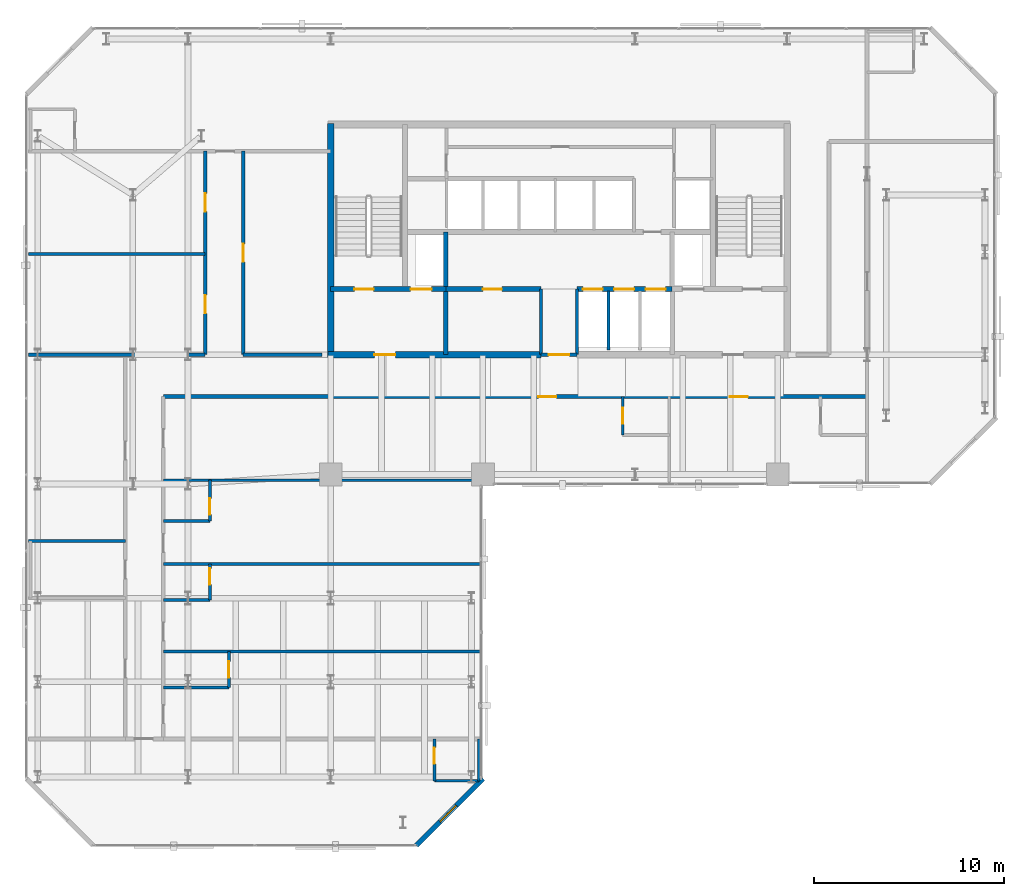
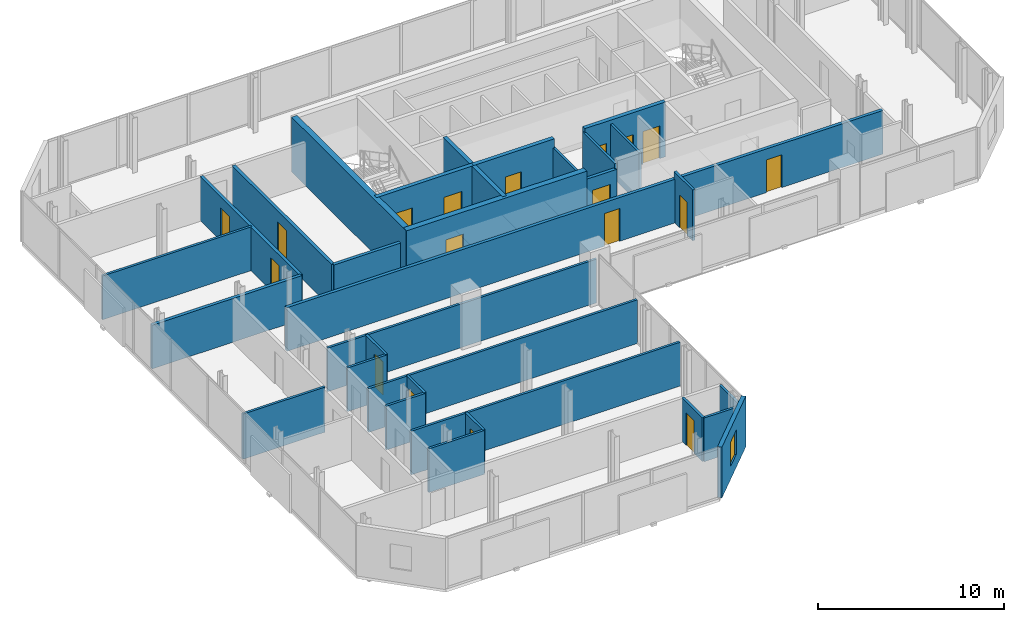
# One storey, part 28 of 32: 31 walls, 18 doors, 1 window, 19 openings.
"""IFC4 building model written with IfcOpenShell, lengths in metres."""

from ifc_helpers import new_model, si_unit, direction, frame, frame_2d, origin, place, context, subcontext, project, spatial, rectangle, extrude, material, layer, layer_set, type_object, element, fill, save


model = new_model("IFC4")

# Units and contexts
model_context = context("Model", 3, precision=1e-05, world=origin(), true_north=direction((0.0, 1.0)))
body_context = subcontext(model_context, "Body", "Model", "MODEL_VIEW")
ifc_project = project(units=[si_unit("LENGTHUNIT", "METRE"), si_unit("AREAUNIT", "SQUARE_METRE"), si_unit("VOLUMEUNIT", "CUBIC_METRE"), si_unit("PLANEANGLEUNIT", "RADIAN"), si_unit("MASSUNIT", "GRAM", prefix="KILO")], contexts=[model_context])

# Site, building, storey
site_placement = place(None, origin())
site = spatial("IfcSite", under=ifc_project, at=site_placement, CompositionType="ELEMENT")
building_placement = place(site_placement, origin())
building = spatial("IfcBuilding", under=site, at=building_placement, Name="Catumbela Crestline Tower", CompositionType="ELEMENT")
storey_placement = place(building_placement, frame((0.0, 0.0, 126.0)))
storey = spatial("IfcBuildingStorey", under=building, at=storey_placement, Name="L32", CompositionType="ELEMENT", Elevation=126.0)

# Wall
ifc_material_1 = material(Name="Concrete C50/60", Category="concrete")
ifc_layer_1 = layer(ifc_material_1, 0.25, Name="Concrete C50/60")
ifc_layer_set_1 = layer_set([ifc_layer_1], Name="Concrete C50/60")
wall_type_1 = type_object("IfcWallType", Name="CW-250D", PredefinedType="SHEAR", material=ifc_layer_set_1)
wall_1_placement = place(storey_placement, frame((22.05, 30.8, 0.0), z_axis=(0.0, 0.0, 1.0), x_axis=(0.0, 1.0, 0.0)))
element("IfcWall", 1, at=wall_1_placement, inside=storey, type_object=wall_type_1, Name="L32 Structural Core Shear Wall FFW", PredefinedType="SHEAR", context=body_context, shape_type="SweptSolid", body=[
    extrude(rectangle(XDim=6.45, YDim=0.25, at=frame_2d((3.225, 0.0))), origin(), (0.0, 0.0, 1.0), 3.6),
])

# Wall, openings, doors
wall_2_placement = place(storey_placement, frame((16.0, 34.25, 0.0), z_axis=(0.0, 0.0, 1.0), x_axis=(1.0, 0.0, 0.0)))
wall_2 = element("IfcWall", 2, at=wall_2_placement, inside=storey, type_object=wall_type_1, Name="L32 Structural Core Shear Wall ST1S", PredefinedType="SHEAR", context=body_context, shape_type="SweptSolid", body=[
    extrude(rectangle(XDim=6.05, YDim=0.25, at=frame_2d((3.025, 0.0))), origin(), (0.0, 0.0, 1.0), 3.6),
])
opening_1_placement = place(wall_2_placement, frame((1.25, 0.0, 0.0)))
opening_1 = element("IfcOpeningElement", 3, at=opening_1_placement, cuts=wall_2, Name="Opening DF9-100", PredefinedType="OPENING", context=body_context, shape_type="SweptSolid", body=[
    extrude(rectangle(XDim=1.0, YDim=2.15, at=frame_2d((0.5, 1.075))), frame((0.0, 0.135, 0.0), z_axis=(0.0, -1.0, 0.0), x_axis=(1.0, 0.0, 0.0)), (0.0, 0.0, 1.0), 0.27),
])
opening_2_placement = place(wall_2_placement, frame((4.2, 0.0, 0.0)))
opening_2 = element("IfcOpeningElement", 4, at=opening_2_placement, cuts=wall_2, Name="Opening LD-110", PredefinedType="OPENING", context=body_context, shape_type="SweptSolid", body=[
    extrude(rectangle(XDim=1.1, YDim=2.15, at=frame_2d((0.55, 1.075))), frame((0.0, 0.135, 0.0), z_axis=(0.0, -1.0, 0.0), x_axis=(1.0, 0.0, 0.0)), (0.0, 0.0, 1.0), 0.27),
])
ifc_material_2 = material(Name="Stainless steel EN 1.4401", Category="steel")
door_type_1 = type_object("IfcDoorType", Name="DF9-100", OperationType="NOTDEFINED", PredefinedType="DOOR", material=ifc_material_2)
door_1_placement = place(opening_1_placement, origin())
door_1 = element("IfcDoor", 5, at=door_1_placement, inside=storey, type_object=door_type_1, Name="L32 Interior Door DR-L32-ST01", OperationType="SINGLE_SWING_LEFT", OverallHeight=2.15, OverallWidth=1.0, PredefinedType="DOOR", context=body_context, shape_type="SweptSolid", body=[
    extrude(rectangle(XDim=1.0, YDim=2.15, at=frame_2d((0.5, 1.075))), frame((0.0, 0.025, 0.0), z_axis=(0.0, -1.0, 0.0), x_axis=(1.0, 0.0, 0.0)), (0.0, 0.0, 1.0), 0.05),
])
fill(opening_1, door_1)
door_type_2 = type_object("IfcDoorType", Name="LD-110", OperationType="NOTDEFINED", PredefinedType="DOOR", material=ifc_material_2)
door_2_placement = place(opening_2_placement, origin())
door_2 = element("IfcDoor", 6, at=door_2_placement, inside=storey, type_object=door_type_2, Name="L32 Lift Landing Sliding Door FL-01", OperationType="DOUBLE_DOOR_SLIDING", OverallHeight=2.15, OverallWidth=1.1, PredefinedType="DOOR", context=body_context, shape_type="SweptSolid", body=[
    extrude(rectangle(XDim=1.1, YDim=2.15, at=frame_2d((0.55, 1.075))), frame((0.0, 0.025, 0.0), z_axis=(0.0, -1.0, 0.0), x_axis=(1.0, 0.0, 0.0)), (0.0, 0.0, 1.0), 0.05),
])
fill(opening_2, door_2)

# Wall, opening, door
wall_3_placement = place(storey_placement, frame((22.05, 34.25, 0.0), z_axis=(0.0, 0.0, 1.0), x_axis=(1.0, 0.0, 0.0)))
wall_3 = element("IfcWall", 7, at=wall_3_placement, inside=storey, type_object=wall_type_1, Name="L32 Structural Core Shear Wall LIFTS-W", PredefinedType="SHEAR", context=body_context, shape_type="SweptSolid", body=[
    extrude(rectangle(XDim=5.0, YDim=0.25, at=frame_2d((2.5, 0.0))), origin(), (0.0, 0.0, 1.0), 3.6),
])
opening_3_placement = place(wall_3_placement, frame((1.95, 0.0, 0.0)))
opening_3 = element("IfcOpeningElement", 8, at=opening_3_placement, cuts=wall_3, Name="Opening DF9-100", PredefinedType="OPENING", context=body_context, shape_type="SweptSolid", body=[
    extrude(rectangle(XDim=1.0, YDim=2.15, at=frame_2d((0.5, 1.075))), frame((0.0, 0.135, 0.0), z_axis=(0.0, -1.0, 0.0), x_axis=(1.0, 0.0, 0.0)), (0.0, 0.0, 1.0), 0.27),
])
door_3_placement = place(opening_3_placement, origin())
door_3 = element("IfcDoor", 9, at=door_3_placement, inside=storey, type_object=door_type_1, Name="L32 Interior Door DR-L32-RECL1", OperationType="SINGLE_SWING_LEFT", OverallHeight=2.15, OverallWidth=1.0, PredefinedType="DOOR", context=body_context, shape_type="SweptSolid", body=[
    extrude(rectangle(XDim=1.0, YDim=2.15, at=frame_2d((0.5, 1.075))), frame((0.0, 0.025, 0.0), z_axis=(0.0, -1.0, 0.0), x_axis=(1.0, 0.0, 0.0)), (0.0, 0.0, 1.0), 0.05),
])
fill(opening_3, door_3)

# Wall, openings, doors
wall_4_placement = place(storey_placement, frame((28.95, 34.25, 0.0), z_axis=(0.0, 0.0, 1.0), x_axis=(1.0, 0.0, 0.0)))
wall_4 = element("IfcWall", 10, at=wall_4_placement, inside=storey, type_object=wall_type_1, Name="L32 Structural Core Shear Wall LIFTS-E", PredefinedType="SHEAR", context=body_context, shape_type="SweptSolid", body=[
    extrude(rectangle(XDim=5.0, YDim=0.25, at=frame_2d((2.5, 0.0))), origin(), (0.0, 0.0, 1.0), 3.6),
])
opening_4_placement = place(wall_4_placement, frame((0.3, 0.0, 0.0)))
opening_4 = element("IfcOpeningElement", 11, at=opening_4_placement, cuts=wall_4, Name="Opening LD-105", PredefinedType="OPENING", context=body_context, shape_type="SweptSolid", body=[
    extrude(rectangle(XDim=1.05, YDim=2.15, at=frame_2d((0.525, 1.075))), frame((0.0, 0.135, 0.0), z_axis=(0.0, -1.0, 0.0), x_axis=(1.0, 0.0, 0.0)), (0.0, 0.0, 1.0), 0.27),
])
opening_5_placement = place(wall_4_placement, frame((1.95, 0.0, 0.0)))
opening_5 = element("IfcOpeningElement", 12, at=opening_5_placement, cuts=wall_4, Name="Opening LD-105", PredefinedType="OPENING", context=body_context, shape_type="SweptSolid", body=[
    extrude(rectangle(XDim=1.05, YDim=2.15, at=frame_2d((0.525, 1.075))), frame((0.0, 0.135, 0.0), z_axis=(0.0, -1.0, 0.0), x_axis=(1.0, 0.0, 0.0)), (0.0, 0.0, 1.0), 0.27),
])
opening_6_placement = place(wall_4_placement, frame((3.6, 0.0, 0.0)))
opening_6 = element("IfcOpeningElement", 13, at=opening_6_placement, cuts=wall_4, Name="Opening LD-105", PredefinedType="OPENING", context=body_context, shape_type="SweptSolid", body=[
    extrude(rectangle(XDim=1.05, YDim=2.15, at=frame_2d((0.525, 1.075))), frame((0.0, 0.135, 0.0), z_axis=(0.0, -1.0, 0.0), x_axis=(1.0, 0.0, 0.0)), (0.0, 0.0, 1.0), 0.27),
])
door_type_3 = type_object("IfcDoorType", Name="LD-105", OperationType="NOTDEFINED", PredefinedType="DOOR", material=ifc_material_2)
door_4_placement = place(opening_4_placement, origin())
door_4 = element("IfcDoor", 14, at=door_4_placement, inside=storey, type_object=door_type_3, Name="L32 Lift Landing Sliding Door PL-M1", OperationType="DOUBLE_DOOR_SLIDING", OverallHeight=2.15, OverallWidth=1.05, PredefinedType="DOOR", context=body_context, shape_type="SweptSolid", body=[
    extrude(rectangle(XDim=1.05, YDim=2.15, at=frame_2d((0.525, 1.075))), frame((0.0, 0.025, 0.0), z_axis=(0.0, -1.0, 0.0), x_axis=(1.0, 0.0, 0.0)), (0.0, 0.0, 1.0), 0.05),
])
fill(opening_4, door_4)
door_5_placement = place(opening_5_placement, origin())
door_5 = element("IfcDoor", 15, at=door_5_placement, inside=storey, type_object=door_type_3, Name="L32 Lift Landing Sliding Door PL-M2", OperationType="DOUBLE_DOOR_SLIDING", OverallHeight=2.15, OverallWidth=1.05, PredefinedType="DOOR", context=body_context, shape_type="SweptSolid", body=[
    extrude(rectangle(XDim=1.05, YDim=2.15, at=frame_2d((0.525, 1.075))), frame((0.0, 0.025, 0.0), z_axis=(0.0, -1.0, 0.0), x_axis=(1.0, 0.0, 0.0)), (0.0, 0.0, 1.0), 0.05),
])
fill(opening_5, door_5)
door_6_placement = place(opening_6_placement, origin())
door_6 = element("IfcDoor", 16, at=door_6_placement, inside=storey, type_object=door_type_3, Name="L32 Lift Landing Sliding Door PL-M3", OperationType="DOUBLE_DOOR_SLIDING", OverallHeight=2.15, OverallWidth=1.05, PredefinedType="DOOR", context=body_context, shape_type="SweptSolid", body=[
    extrude(rectangle(XDim=1.05, YDim=2.15, at=frame_2d((0.525, 1.075))), frame((0.0, 0.025, 0.0), z_axis=(0.0, -1.0, 0.0), x_axis=(1.0, 0.0, 0.0)), (0.0, 0.0, 1.0), 0.05),
])
fill(opening_6, door_6)

# Wall
ifc_layer_2 = layer(ifc_material_1, 0.35, Name="Concrete C50/60")
ifc_layer_set_2 = layer_set([ifc_layer_2], Name="Concrete C50/60")
wall_type_2 = type_object("IfcWallType", Name="CW-350B", PredefinedType="SHEAR", material=ifc_layer_set_2)
wall_5_placement = place(storey_placement, frame((16.0, 30.65, 0.0), z_axis=(0.0, 0.0, 1.0), x_axis=(0.0, 1.0, 0.0)))
element("IfcWall", 17, at=wall_5_placement, inside=storey, type_object=wall_type_2, Name="L32 Structural Core Shear Wall W", PredefinedType="SHEAR", context=body_context, shape_type="SweptSolid", body=[
    extrude(rectangle(XDim=12.3, YDim=0.35, at=frame_2d((6.15, 0.0))), origin(), (0.0, 0.0, 1.0), 3.6),
])

# Wall, opening, door
wall_6_placement = place(storey_placement, frame((15.85, 30.8, 0.0), z_axis=(0.0, 0.0, 1.0), x_axis=(1.0, 0.0, 0.0)))
wall_6 = element("IfcWall", 18, at=wall_6_placement, inside=storey, type_object=wall_type_2, Name="L32 Structural Core Shear Wall SW", PredefinedType="SHEAR", context=body_context, shape_type="SweptSolid", body=[
    extrude(rectangle(XDim=11.2, YDim=0.35, at=frame_2d((5.6, 0.0))), origin(), (0.0, 0.0, 1.0), 3.6),
])
opening_7_placement = place(wall_6_placement, frame((2.45, 0.0, 0.0)))
opening_7 = element("IfcOpeningElement", 19, at=opening_7_placement, cuts=wall_6, Name="Opening DF9-110", PredefinedType="OPENING", context=body_context, shape_type="SweptSolid", body=[
    extrude(rectangle(XDim=1.1, YDim=2.15, at=frame_2d((0.55, 1.075))), frame((0.0, 0.185, 0.0), z_axis=(0.0, -1.0, 0.0), x_axis=(1.0, 0.0, 0.0)), (0.0, 0.0, 1.0), 0.37),
])
door_type_4 = type_object("IfcDoorType", Name="DF9-110", OperationType="NOTDEFINED", PredefinedType="DOOR", material=ifc_material_2)
door_7_placement = place(opening_7_placement, origin())
door_7 = element("IfcDoor", 20, at=door_7_placement, inside=storey, type_object=door_type_4, Name="L32 Interior Door DR-L32-FFW-S", OperationType="SINGLE_SWING_LEFT", OverallHeight=2.15, OverallWidth=1.1, PredefinedType="DOOR", context=body_context, shape_type="SweptSolid", body=[
    extrude(rectangle(XDim=1.1, YDim=2.15, at=frame_2d((0.55, 1.075))), frame((0.0, 0.025, 0.0), z_axis=(0.0, -1.0, 0.0), x_axis=(1.0, 0.0, 0.0)), (0.0, 0.0, 1.0), 0.05),
])
fill(opening_7, door_7)

ifc_material_3 = material(Name="Acoustic gypsum and mineral-wool partition")
ifc_layer_3 = layer(ifc_material_3, 0.2, Name="Acoustic gypsum and mineral-wool partition")
ifc_layer_set_3 = layer_set([ifc_layer_3], Name="Acoustic gypsum and mineral-wool partition")
wall_type_3 = type_object("IfcWallType", Name="WC-200", PredefinedType="PARTITIONING", material=ifc_layer_set_3)
wall_7_placement = place(storey_placement, frame((27.05, 30.8, 0.0), z_axis=(0.0, 0.0, 1.0), x_axis=(1.0, 0.0, 0.0)))
wall_7 = element("IfcWall", 21, at=wall_7_placement, inside=storey, type_object=wall_type_3, Name="L32 Interior Partition PW-L32-CLOBS", PredefinedType="PARTITIONING", context=body_context, shape_type="SweptSolid", body=[
    extrude(rectangle(XDim=1.9, YDim=0.2, at=frame_2d((0.95, 0.0))), origin(), (0.0, 0.0, 1.0), 3.01),
])
opening_8_placement = place(wall_7_placement, frame((0.4, 0.0, 0.0)))
opening_8 = element("IfcOpeningElement", 22, at=opening_8_placement, cuts=wall_7, Name="Opening DF9-110", PredefinedType="OPENING", context=body_context, shape_type="SweptSolid", body=[
    extrude(rectangle(XDim=1.1, YDim=2.15, at=frame_2d((0.55, 1.075))), frame((0.0, 0.11, 0.0), z_axis=(0.0, -1.0, 0.0), x_axis=(1.0, 0.0, 0.0)), (0.0, 0.0, 1.0), 0.22),
])
door_8_placement = place(opening_8_placement, origin())
door_8 = element("IfcDoor", 23, at=door_8_placement, inside=storey, type_object=door_type_4, Name="L32 Interior Door DR-L32-CLOBS", OperationType="SINGLE_SWING_LEFT", OverallHeight=2.15, OverallWidth=1.1, PredefinedType="DOOR", context=body_context, shape_type="SweptSolid", body=[
    extrude(rectangle(XDim=1.1, YDim=2.15, at=frame_2d((0.55, 1.075))), frame((0.0, 0.025, 0.0), z_axis=(0.0, -1.0, 0.0), x_axis=(1.0, 0.0, 0.0)), (0.0, 0.0, 1.0), 0.05),
])
fill(opening_8, door_8)

# Wall
wall_8_placement = place(storey_placement, frame((0.1, 30.8, 0.0), z_axis=(0.0, 0.0, 1.0), x_axis=(1.0, 0.0, 0.0)))
element("IfcWall", 24, at=wall_8_placement, inside=storey, type_object=wall_type_3, Name="L32 Interior Partition PW-L32-Z2CW-N0", PredefinedType="PARTITIONING", context=body_context, shape_type="SweptSolid", body=[
    extrude(rectangle(XDim=9.3, YDim=0.2, at=frame_2d((4.65, 0.0))), origin(), (0.0, 0.0, 1.0), 2.87),
])

# Wall, openings, doors
wall_9_placement = place(storey_placement, frame((7.2, 28.6, 0.0), z_axis=(0.0, 0.0, 1.0), x_axis=(1.0, 0.0, 0.0)))
wall_9 = element("IfcWall", 25, at=wall_9_placement, inside=storey, type_object=wall_type_3, Name="L32 Interior Partition PW-L32-Z2CW-N2", PredefinedType="PARTITIONING", context=body_context, shape_type="SweptSolid", body=[
    extrude(rectangle(XDim=37.0, YDim=0.2, at=frame_2d((18.5, 0.0))), origin(), (0.0, 0.0, 1.0), 2.87),
])
opening_9_placement = place(wall_9_placement, frame((19.71, 0.0, 0.0)))
opening_9 = element("IfcOpeningElement", 26, at=opening_9_placement, cuts=wall_9, Name="Opening DF6-095", PredefinedType="OPENING", context=body_context, shape_type="SweptSolid", body=[
    extrude(rectangle(XDim=0.95, YDim=2.15, at=frame_2d((0.475, 1.075))), frame((0.0, 0.11, 0.0), z_axis=(0.0, -1.0, 0.0), x_axis=(1.0, 0.0, 0.0)), (0.0, 0.0, 1.0), 0.22),
])
opening_10_placement = place(wall_9_placement, frame((29.78, 0.0, 0.0)))
opening_10 = element("IfcOpeningElement", 27, at=opening_10_placement, cuts=wall_9, Name="Opening DF6-095", PredefinedType="OPENING", context=body_context, shape_type="SweptSolid", body=[
    extrude(rectangle(XDim=0.95, YDim=2.15, at=frame_2d((0.475, 1.075))), frame((0.0, 0.11, 0.0), z_axis=(0.0, -1.0, 0.0), x_axis=(1.0, 0.0, 0.0)), (0.0, 0.0, 1.0), 0.22),
])
ifc_material_4 = material(Name="Aluminium alloy AW-6060-T66", Category="aluminium")
door_type_5 = type_object("IfcDoorType", Name="DF6-095", OperationType="NOTDEFINED", PredefinedType="DOOR", material=ifc_material_4)
door_9_placement = place(opening_9_placement, origin())
door_9 = element("IfcDoor", 28, at=door_9_placement, inside=storey, type_object=door_type_5, Name="L32 Interior Door DR-L32-SS1-ENT", OperationType="SINGLE_SWING_RIGHT", OverallHeight=2.15, OverallWidth=0.95, PredefinedType="DOOR", context=body_context, shape_type="SweptSolid", body=[
    extrude(rectangle(XDim=0.95, YDim=2.15, at=frame_2d((0.475, 1.075))), frame((0.0, 0.025, 0.0), z_axis=(0.0, -1.0, 0.0), x_axis=(1.0, 0.0, 0.0)), (0.0, 0.0, 1.0), 0.05),
])
fill(opening_9, door_9)
door_10_placement = place(opening_10_placement, origin())
door_10 = element("IfcDoor", 29, at=door_10_placement, inside=storey, type_object=door_type_5, Name="L32 Interior Door DR-L32-SS2-ENT", OperationType="SINGLE_SWING_LEFT", OverallHeight=2.15, OverallWidth=0.95, PredefinedType="DOOR", context=body_context, shape_type="SweptSolid", body=[
    extrude(rectangle(XDim=0.95, YDim=2.15, at=frame_2d((0.475, 1.075))), frame((0.0, 0.025, 0.0), z_axis=(0.0, -1.0, 0.0), x_axis=(1.0, 0.0, 0.0)), (0.0, 0.0, 1.0), 0.05),
])
fill(opening_10, door_10)

# Wall
wall_10_placement = place(storey_placement, frame((11.4, 30.8, 0.0), z_axis=(0.0, 0.0, 1.0), x_axis=(1.0, 0.0, 0.0)))
element("IfcWall", 30, at=wall_10_placement, inside=storey, type_object=wall_type_3, Name="L32 Interior Partition PW-L32-Z2CW-N3", PredefinedType="PARTITIONING", context=body_context, shape_type="SweptSolid", body=[
    extrude(rectangle(XDim=4.13, YDim=0.2, at=frame_2d((2.065, 0.0))), origin(), (0.0, 0.0, 1.0), 2.87),
])

# Wall, openings, doors
wall_11_placement = place(storey_placement, frame((9.4, 30.8, 0.0), z_axis=(0.0, 0.0, 1.0), x_axis=(0.0, 1.0, 0.0)))
wall_11 = element("IfcWall", 31, at=wall_11_placement, inside=storey, type_object=wall_type_3, Name="L32 Interior Partition PW-L32-Z2TR1-ENT", PredefinedType="PARTITIONING", context=body_context, shape_type="SweptSolid", body=[
    extrude(rectangle(XDim=10.7, YDim=0.2, at=frame_2d((5.35, 0.0))), origin(), (0.0, 0.0, 1.0), 2.87),
])
opening_11_placement = place(wall_11_placement, frame((2.175, 0.0, 0.0)))
opening_11 = element("IfcOpeningElement", 32, at=opening_11_placement, cuts=wall_11, Name="Opening DF6-095", PredefinedType="OPENING", context=body_context, shape_type="SweptSolid", body=[
    extrude(rectangle(XDim=0.95, YDim=2.15, at=frame_2d((0.475, 1.075))), frame((0.0, 0.11, 0.0), z_axis=(0.0, -1.0, 0.0), x_axis=(1.0, 0.0, 0.0)), (0.0, 0.0, 1.0), 0.22),
])
opening_12_placement = place(wall_11_placement, frame((7.525, 0.0, 0.0)))
opening_12 = element("IfcOpeningElement", 33, at=opening_12_placement, cuts=wall_11, Name="Opening DF6-095", PredefinedType="OPENING", context=body_context, shape_type="SweptSolid", body=[
    extrude(rectangle(XDim=0.95, YDim=2.15, at=frame_2d((0.475, 1.075))), frame((0.0, 0.11, 0.0), z_axis=(0.0, -1.0, 0.0), x_axis=(1.0, 0.0, 0.0)), (0.0, 0.0, 1.0), 0.22),
])
door_11_placement = place(opening_11_placement, origin())
door_11 = element("IfcDoor", 34, at=door_11_placement, inside=storey, type_object=door_type_5, Name="L32 Interior Door DR-L32-Z2TR1-ENT", OperationType="SINGLE_SWING_RIGHT", OverallHeight=2.15, OverallWidth=0.95, PredefinedType="DOOR", context=body_context, shape_type="SweptSolid", body=[
    extrude(rectangle(XDim=0.95, YDim=2.15, at=frame_2d((0.475, 1.075))), frame((0.0, 0.025, 0.0), z_axis=(0.0, -1.0, 0.0), x_axis=(1.0, 0.0, 0.0)), (0.0, 0.0, 1.0), 0.05),
])
fill(opening_11, door_11)
door_12_placement = place(opening_12_placement, origin())
door_12 = element("IfcDoor", 35, at=door_12_placement, inside=storey, type_object=door_type_5, Name="L32 Interior Door DR-L32-Z2TR2-ENT", OperationType="SINGLE_SWING_LEFT", OverallHeight=2.15, OverallWidth=0.95, PredefinedType="DOOR", context=body_context, shape_type="SweptSolid", body=[
    extrude(rectangle(XDim=0.95, YDim=2.15, at=frame_2d((0.475, 1.075))), frame((0.0, 0.025, 0.0), z_axis=(0.0, -1.0, 0.0), x_axis=(1.0, 0.0, 0.0)), (0.0, 0.0, 1.0), 0.05),
])
fill(opening_12, door_12)

# Wall, opening, door
wall_12_placement = place(storey_placement, frame((11.4, 30.8, 0.0), z_axis=(0.0, 0.0, 1.0), x_axis=(0.0, 1.0, 0.0)))
wall_12 = element("IfcWall", 36, at=wall_12_placement, inside=storey, type_object=wall_type_3, Name="L32 Interior Partition PW-L32-Z2YOG-ENT", PredefinedType="PARTITIONING", context=body_context, shape_type="SweptSolid", body=[
    extrude(rectangle(XDim=10.7, YDim=0.2, at=frame_2d((5.35, 0.0))), origin(), (0.0, 0.0, 1.0), 2.87),
])
opening_13_placement = place(wall_12_placement, frame((4.875, 0.0, 0.0)))
opening_13 = element("IfcOpeningElement", 37, at=opening_13_placement, cuts=wall_12, Name="Opening DF6-095", PredefinedType="OPENING", context=body_context, shape_type="SweptSolid", body=[
    extrude(rectangle(XDim=0.95, YDim=2.15, at=frame_2d((0.475, 1.075))), frame((0.0, 0.11, 0.0), z_axis=(0.0, -1.0, 0.0), x_axis=(1.0, 0.0, 0.0)), (0.0, 0.0, 1.0), 0.22),
])
door_13_placement = place(opening_13_placement, origin())
door_13 = element("IfcDoor", 38, at=door_13_placement, inside=storey, type_object=door_type_5, Name="L32 Interior Door DR-L32-Z2YOG-ENT", OperationType="SINGLE_SWING_RIGHT", OverallHeight=2.15, OverallWidth=0.95, PredefinedType="DOOR", context=body_context, shape_type="SweptSolid", body=[
    extrude(rectangle(XDim=0.95, YDim=2.15, at=frame_2d((0.475, 1.075))), frame((0.0, 0.025, 0.0), z_axis=(0.0, -1.0, 0.0), x_axis=(1.0, 0.0, 0.0)), (0.0, 0.0, 1.0), 0.05),
])
fill(opening_13, door_13)

# Wall, opening, window
ifc_material_5 = material(Name="Angolan grey-ochre granite", Category="masonry")
ifc_layer_4 = layer(ifc_material_5, 0.25, Name="Angolan grey-ochre granite")
ifc_layer_set_4 = layer_set([ifc_layer_4], Name="Angolan grey-ochre granite")
wall_type_4 = type_object("IfcWallType", Name="WE-250", PredefinedType="STANDARD", material=ifc_layer_set_4)
wall_13_placement = place(storey_placement, frame((20.5, 5.0, 0.0), z_axis=(0.0, 0.0, 1.0), x_axis=(0.707106781187, 0.707106781187, 0.0)))
wall_13 = element("IfcWall", 39, at=wall_13_placement, inside=storey, type_object=wall_type_4, Name="L32 Granite Punched Window Wall 1-1", PredefinedType="STANDARD", context=body_context, shape_type="SweptSolid", body=[
    extrude(rectangle(XDim=4.9497, YDim=0.25, at=frame_2d((2.4748, 0.0))), origin(), (0.0, 0.0, 1.0), 3.33),
])
opening_14_placement = place(wall_13_placement, frame((1.7647, 0.0, 0.85)))
opening_14 = element("IfcOpeningElement", 40, at=opening_14_placement, cuts=wall_13, Name="Opening WN-02", PredefinedType="OPENING", context=body_context, shape_type="SweptSolid", body=[
    extrude(rectangle(XDim=1.2, YDim=1.6, at=frame_2d((0.6, 0.8))), frame((0.0, 0.135, 0.0), z_axis=(0.0, -1.0, 0.0), x_axis=(1.0, 0.0, 0.0)), (0.0, 0.0, 1.0), 0.27),
])
ifc_material_6 = material(Name="Low-E laminated solar-control double glazing", Category="glass")
window_type = type_object("IfcWindowType", Name="WO-1200", PartitioningType="SINGLE_PANEL", PredefinedType="WINDOW", material=ifc_material_6)
window_placement = place(opening_14_placement, origin())
window = element("IfcWindow", 41, at=window_placement, inside=storey, type_object=window_type, Name="L32 Facade Vision Window 180", OverallHeight=1.6, OverallWidth=1.2, PartitioningType="SINGLE_PANEL", PredefinedType="WINDOW", context=body_context, shape_type="SweptSolid", body=[
    extrude(rectangle(XDim=1.2, YDim=1.6, at=frame_2d((0.6, 0.8))), frame((0.0, 0.03, 0.0), z_axis=(0.0, -1.0, 0.0), x_axis=(1.0, 0.0, 0.0)), (0.0, 0.0, 1.0), 0.06),
])
fill(opening_14, window)

# Walls
ifc_layer_5 = layer(ifc_material_3, 0.15, Name="Acoustic gypsum and mineral-wool partition")
ifc_layer_set_5 = layer_set([ifc_layer_5], Name="Acoustic gypsum and mineral-wool partition")
wall_type_5 = type_object("IfcWallType", Name="WP-150", PredefinedType="PARTITIONING", material=ifc_layer_set_5)
wall_14_placement = place(storey_placement, frame((0.1, 21.0, 0.0), z_axis=(0.0, 0.0, 1.0), x_axis=(1.0, 0.0, 0.0)))
element("IfcWall", 42, at=wall_14_placement, inside=storey, type_object=wall_type_5, Name="L32 Interior Partition PW-L32-Z2W-2", PredefinedType="PARTITIONING", context=body_context, shape_type="SweptSolid", body=[
    extrude(rectangle(XDim=5.1, YDim=0.15, at=frame_2d((2.55, 0.0))), origin(), (0.0, 0.0, 1.0), 2.96),
])
wall_15_placement = place(storey_placement, frame((0.1, 36.1, 0.0), z_axis=(0.0, 0.0, 1.0), x_axis=(1.0, 0.0, 0.0)))
element("IfcWall", 43, at=wall_15_placement, inside=storey, type_object=wall_type_5, Name="L32 Interior Partition PW-L32-Z2G3-1", PredefinedType="PARTITIONING", context=body_context, shape_type="SweptSolid", body=[
    extrude(rectangle(XDim=9.3, YDim=0.15, at=frame_2d((4.65, 0.0))), origin(), (0.0, 0.0, 1.0), 2.87),
])
wall_16_placement = place(storey_placement, frame((21.45, 8.4, 0.0), z_axis=(0.0, 0.0, 1.0), x_axis=(1.0, 0.0, 0.0)))
element("IfcWall", 44, at=wall_16_placement, inside=storey, type_object=wall_type_5, Name="L32 Interior Partition PW-L32-STIP-BHW", PredefinedType="PARTITIONING", context=body_context, shape_type="SweptSolid", body=[
    extrude(rectangle(XDim=2.35, YDim=0.15, at=frame_2d((1.175, 0.0))), origin(), (0.0, 0.0, 1.0), 2.87),
])

# Wall, opening, door
wall_17_placement = place(storey_placement, frame((21.45, 8.4, 0.0), z_axis=(0.0, 0.0, 1.0), x_axis=(0.0, 1.0, 0.0)))
wall_17 = element("IfcWall", 45, at=wall_17_placement, inside=storey, type_object=wall_type_5, Name="L32 Interior Partition PW-L32-STIP-BWW", PredefinedType="PARTITIONING", context=body_context, shape_type="SweptSolid", body=[
    extrude(rectangle(XDim=2.2, YDim=0.15, at=frame_2d((1.1, 0.0))), origin(), (0.0, 0.0, 1.0), 2.87),
])
opening_15_placement = place(wall_17_placement, frame((0.8925, 0.0, 0.0)))
opening_15 = element("IfcOpeningElement", 46, at=opening_15_placement, cuts=wall_17, Name="Opening DI-085", PredefinedType="OPENING", context=body_context, shape_type="SweptSolid", body=[
    extrude(rectangle(XDim=0.85, YDim=2.15, at=frame_2d((0.425, 1.075))), frame((0.0, 0.085, 0.0), z_axis=(0.0, -1.0, 0.0), x_axis=(1.0, 0.0, 0.0)), (0.0, 0.0, 1.0), 0.17),
])
door_type_6 = type_object("IfcDoorType", Name="DI-085", OperationType="NOTDEFINED", PredefinedType="DOOR", material=ifc_material_4)
door_14_placement = place(opening_15_placement, origin())
door_14 = element("IfcDoor", 47, at=door_14_placement, inside=storey, type_object=door_type_6, Name="L32 Interior Door DR-L32-STIP-BTH", OperationType="SINGLE_SWING_RIGHT", OverallHeight=2.15, OverallWidth=0.85, PredefinedType="DOOR", context=body_context, shape_type="SweptSolid", body=[
    extrude(rectangle(XDim=0.85, YDim=2.15, at=frame_2d((0.425, 1.075))), frame((0.0, 0.025, 0.0), z_axis=(0.0, -1.0, 0.0), x_axis=(1.0, 0.0, 0.0)), (0.0, 0.0, 1.0), 0.05),
])
fill(opening_15, door_14)

# Walls
wall_18_placement = place(storey_placement, frame((23.78, 10.6, 0.0), z_axis=(0.0, 0.0, 1.0), x_axis=(0.0, -1.0, 0.0)))
element("IfcWall", 48, at=wall_18_placement, inside=storey, type_object=wall_type_5, Name="L32 Interior Partition PW-L32-STIP-BCL-2", PredefinedType="PARTITIONING", context=body_context, shape_type="SweptSolid", body=[
    extrude(rectangle(XDim=2.22, YDim=0.15, at=frame_2d((1.11, 0.0))), origin(), (0.0, 0.0, 1.0), 2.87),
])
wall_19_placement = place(storey_placement, frame((7.2, 13.3, 0.0), z_axis=(0.0, 0.0, 1.0), x_axis=(1.0, 0.0, 0.0)))
element("IfcWall", 49, at=wall_19_placement, inside=storey, type_object=wall_type_5, Name="L32 Interior Partition PW-L32-SW1-BSW", PredefinedType="PARTITIONING", context=body_context, shape_type="SweptSolid", body=[
    extrude(rectangle(XDim=3.45, YDim=0.15, at=frame_2d((1.725, 0.0))), origin(), (0.0, 0.0, 1.0), 2.87),
])

# Wall, opening, door
wall_20_placement = place(storey_placement, frame((10.65, 13.3, 0.0), z_axis=(0.0, 0.0, 1.0), x_axis=(0.0, 1.0, 0.0)))
wall_20 = element("IfcWall", 50, at=wall_20_placement, inside=storey, type_object=wall_type_5, Name="L32 Interior Partition PW-L32-SW1-BEW", PredefinedType="PARTITIONING", context=body_context, shape_type="SweptSolid", body=[
    extrude(rectangle(XDim=1.9, YDim=0.15, at=frame_2d((0.95, 0.0))), origin(), (0.0, 0.0, 1.0), 2.87),
])
opening_16_placement = place(wall_20_placement, frame((0.525, 0.0, 0.0)))
opening_16 = element("IfcOpeningElement", 51, at=opening_16_placement, cuts=wall_20, Name="Opening DI-085", PredefinedType="OPENING", context=body_context, shape_type="SweptSolid", body=[
    extrude(rectangle(XDim=0.85, YDim=2.15, at=frame_2d((0.425, 1.075))), frame((0.0, 0.085, 0.0), z_axis=(0.0, -1.0, 0.0), x_axis=(1.0, 0.0, 0.0)), (0.0, 0.0, 1.0), 0.17),
])
door_15_placement = place(opening_16_placement, origin())
door_15 = element("IfcDoor", 52, at=door_15_placement, inside=storey, type_object=door_type_6, Name="L32 Interior Door DR-L32-SW1-BTH", OperationType="SINGLE_SWING_LEFT", OverallHeight=2.15, OverallWidth=0.85, PredefinedType="DOOR", context=body_context, shape_type="SweptSolid", body=[
    extrude(rectangle(XDim=0.85, YDim=2.15, at=frame_2d((0.425, 1.075))), frame((0.0, 0.025, 0.0), z_axis=(0.0, -1.0, 0.0), x_axis=(1.0, 0.0, 0.0)), (0.0, 0.0, 1.0), 0.05),
])
fill(opening_16, door_15)

# Walls
wall_21_placement = place(storey_placement, frame((7.2, 15.2, 0.0), z_axis=(0.0, 0.0, 1.0), x_axis=(1.0, 0.0, 0.0)))
element("IfcWall", 53, at=wall_21_placement, inside=storey, type_object=wall_type_5, Name="L32 Interior Partition PW-L32-SW1-BCL-1", PredefinedType="PARTITIONING", context=body_context, shape_type="SweptSolid", body=[
    extrude(rectangle(XDim=16.7, YDim=0.15, at=frame_2d((8.35, 0.0))), origin(), (0.0, 0.0, 1.0), 2.87),
])
wall_22_placement = place(storey_placement, frame((7.2, 17.9, 0.0), z_axis=(0.0, 0.0, 1.0), x_axis=(1.0, 0.0, 0.0)))
element("IfcWall", 54, at=wall_22_placement, inside=storey, type_object=wall_type_5, Name="L32 Interior Partition PW-L32-SW2-BSW", PredefinedType="PARTITIONING", context=body_context, shape_type="SweptSolid", body=[
    extrude(rectangle(XDim=2.45, YDim=0.15, at=frame_2d((1.225, 0.0))), origin(), (0.0, 0.0, 1.0), 2.87),
])

# Wall, opening, door
wall_23_placement = place(storey_placement, frame((9.65, 17.9, 0.0), z_axis=(0.0, 0.0, 1.0), x_axis=(0.0, 1.0, 0.0)))
wall_23 = element("IfcWall", 55, at=wall_23_placement, inside=storey, type_object=wall_type_5, Name="L32 Interior Partition PW-L32-SW2-BEW", PredefinedType="PARTITIONING", context=body_context, shape_type="SweptSolid", body=[
    extrude(rectangle(XDim=1.9, YDim=0.15, at=frame_2d((0.95, 0.0))), origin(), (0.0, 0.0, 1.0), 2.87),
])
opening_17_placement = place(wall_23_placement, frame((0.81, 0.0, 0.0)))
opening_17 = element("IfcOpeningElement", 56, at=opening_17_placement, cuts=wall_23, Name="Opening DI-085", PredefinedType="OPENING", context=body_context, shape_type="SweptSolid", body=[
    extrude(rectangle(XDim=0.85, YDim=2.15, at=frame_2d((0.425, 1.075))), frame((0.0, 0.085, 0.0), z_axis=(0.0, -1.0, 0.0), x_axis=(1.0, 0.0, 0.0)), (0.0, 0.0, 1.0), 0.17),
])
door_16_placement = place(opening_17_placement, origin())
door_16 = element("IfcDoor", 57, at=door_16_placement, inside=storey, type_object=door_type_6, Name="L32 Interior Door DR-L32-SW2-BTH", OperationType="SINGLE_SWING_RIGHT", OverallHeight=2.15, OverallWidth=0.85, PredefinedType="DOOR", context=body_context, shape_type="SweptSolid", body=[
    extrude(rectangle(XDim=0.85, YDim=2.15, at=frame_2d((0.425, 1.075))), frame((0.0, 0.025, 0.0), z_axis=(0.0, -1.0, 0.0), x_axis=(1.0, 0.0, 0.0)), (0.0, 0.0, 1.0), 0.05),
])
fill(opening_17, door_16)

# Walls
wall_24_placement = place(storey_placement, frame((7.2, 19.8, 0.0), z_axis=(0.0, 0.0, 1.0), x_axis=(1.0, 0.0, 0.0)))
element("IfcWall", 58, at=wall_24_placement, inside=storey, type_object=wall_type_5, Name="L32 Interior Partition PW-L32-SW2-BCL-1", PredefinedType="PARTITIONING", context=body_context, shape_type="SweptSolid", body=[
    extrude(rectangle(XDim=16.7, YDim=0.15, at=frame_2d((8.35, 0.0))), origin(), (0.0, 0.0, 1.0), 2.87),
])
wall_25_placement = place(storey_placement, frame((7.2, 22.05, 0.0), z_axis=(0.0, 0.0, 1.0), x_axis=(1.0, 0.0, 0.0)))
element("IfcWall", 59, at=wall_25_placement, inside=storey, type_object=wall_type_5, Name="L32 Interior Partition PW-L32-SW3-BSW", PredefinedType="PARTITIONING", context=body_context, shape_type="SweptSolid", body=[
    extrude(rectangle(XDim=2.45, YDim=0.15, at=frame_2d((1.225, 0.0))), origin(), (0.0, 0.0, 1.0), 2.87),
])

# Wall, opening, door
wall_26_placement = place(storey_placement, frame((9.65, 22.05, 0.0), z_axis=(0.0, 0.0, 1.0), x_axis=(0.0, 1.0, 0.0)))
wall_26 = element("IfcWall", 60, at=wall_26_placement, inside=storey, type_object=wall_type_5, Name="L32 Interior Partition PW-L32-SW3-BEW", PredefinedType="PARTITIONING", context=body_context, shape_type="SweptSolid", body=[
    extrude(rectangle(XDim=2.15, YDim=0.15, at=frame_2d((1.075, 0.0))), origin(), (0.0, 0.0, 1.0), 2.87),
])
opening_18_placement = place(wall_26_placement, frame((0.3425, 0.0, 0.0)))
opening_18 = element("IfcOpeningElement", 61, at=opening_18_placement, cuts=wall_26, Name="Opening DI-085", PredefinedType="OPENING", context=body_context, shape_type="SweptSolid", body=[
    extrude(rectangle(XDim=0.85, YDim=2.15, at=frame_2d((0.425, 1.075))), frame((0.0, 0.085, 0.0), z_axis=(0.0, -1.0, 0.0), x_axis=(1.0, 0.0, 0.0)), (0.0, 0.0, 1.0), 0.17),
])
door_17_placement = place(opening_18_placement, origin())
door_17 = element("IfcDoor", 62, at=door_17_placement, inside=storey, type_object=door_type_6, Name="L32 Interior Door DR-L32-SW3-BTH", OperationType="SINGLE_SWING_LEFT", OverallHeight=2.15, OverallWidth=0.85, PredefinedType="DOOR", context=body_context, shape_type="SweptSolid", body=[
    extrude(rectangle(XDim=0.85, YDim=2.15, at=frame_2d((0.425, 1.075))), frame((0.0, 0.025, 0.0), z_axis=(0.0, -1.0, 0.0), x_axis=(1.0, 0.0, 0.0)), (0.0, 0.0, 1.0), 0.05),
])
fill(opening_18, door_17)

# Wall
wall_27_placement = place(storey_placement, frame((7.2, 24.2, 0.0), z_axis=(0.0, 0.0, 1.0), x_axis=(1.0, 0.0, 0.0)))
element("IfcWall", 63, at=wall_27_placement, inside=storey, type_object=wall_type_5, Name="L32 Interior Partition PW-L32-SW3-BCL-1", PredefinedType="PARTITIONING", context=body_context, shape_type="SweptSolid", body=[
    extrude(rectangle(XDim=16.7, YDim=0.15, at=frame_2d((8.35, 0.0))), origin(), (0.0, 0.0, 1.0), 2.87),
])

# Wall, opening, door
wall_28_placement = place(storey_placement, frame((31.35, 26.576, 0.0), z_axis=(0.0, 0.0, 1.0), x_axis=(0.0, 1.0, 0.0)))
wall_28 = element("IfcWall", 64, at=wall_28_placement, inside=storey, type_object=wall_type_5, Name="L32 Interior Partition PW-L32-SS1-BWW", PredefinedType="PARTITIONING", context=body_context, shape_type="SweptSolid", body=[
    extrude(rectangle(XDim=2.024, YDim=0.15, at=frame_2d((1.012, 0.0))), origin(), (0.0, 0.0, 1.0), 3.33),
])
opening_19_placement = place(wall_28_placement, frame((0.587, 0.0, 0.0)))
opening_19 = element("IfcOpeningElement", 65, at=opening_19_placement, cuts=wall_28, Name="Opening DI-085", PredefinedType="OPENING", context=body_context, shape_type="SweptSolid", body=[
    extrude(rectangle(XDim=0.85, YDim=2.15, at=frame_2d((0.425, 1.075))), frame((0.0, 0.085, 0.0), z_axis=(0.0, -1.0, 0.0), x_axis=(1.0, 0.0, 0.0)), (0.0, 0.0, 1.0), 0.17),
])
door_18_placement = place(opening_19_placement, origin())
door_18 = element("IfcDoor", 66, at=door_18_placement, inside=storey, type_object=door_type_6, Name="L32 Interior Door DR-L32-SS1-BTH", OperationType="SINGLE_SWING_RIGHT", OverallHeight=2.15, OverallWidth=0.85, PredefinedType="DOOR", context=body_context, shape_type="SweptSolid", body=[
    extrude(rectangle(XDim=0.85, YDim=2.15, at=frame_2d((0.425, 1.075))), frame((0.0, 0.025, 0.0), z_axis=(0.0, -1.0, 0.0), x_axis=(1.0, 0.0, 0.0)), (0.0, 0.0, 1.0), 0.05),
])
fill(opening_19, door_18)

# Walls
ifc_layer_6 = layer(ifc_material_3, 0.15, Name="Acoustic gypsum and mineral-wool partition")
ifc_layer_set_6 = layer_set([ifc_layer_6], Name="Acoustic gypsum and mineral-wool partition")
wall_type_6 = type_object("IfcWallType", Name="WS-150", PredefinedType="PLUMBINGWALL", material=ifc_layer_set_6)
wall_29_placement = place(storey_placement, frame((27.05, 30.8, 0.0), z_axis=(0.0, 0.0, 1.0), x_axis=(0.0, 1.0, 0.0)))
element("IfcWall", 67, at=wall_29_placement, inside=storey, type_object=wall_type_6, Name="L32 Interior Partition PW-L32-THRW", PredefinedType="PLUMBINGWALL", context=body_context, shape_type="SweptSolid", body=[
    extrude(rectangle(XDim=3.45, YDim=0.15, at=frame_2d((1.725, 0.0))), origin(), (0.0, 0.0, 1.0), 3.01),
])
wall_30_placement = place(storey_placement, frame((28.95, 30.8, 0.0), z_axis=(0.0, 0.0, 1.0), x_axis=(0.0, 1.0, 0.0)))
element("IfcWall", 68, at=wall_30_placement, inside=storey, type_object=wall_type_6, Name="L32 Interior Partition PW-L32-THRE", PredefinedType="PLUMBINGWALL", context=body_context, shape_type="SweptSolid", body=[
    extrude(rectangle(XDim=3.45, YDim=0.15, at=frame_2d((1.725, 0.0))), origin(), (0.0, 0.0, 1.0), 3.33),
])
wall_31_placement = place(storey_placement, frame((30.6, 31.05, 0.0), z_axis=(0.0, 0.0, 1.0), x_axis=(0.0, 1.0, 0.0)))
element("IfcWall", 69, at=wall_31_placement, inside=storey, type_object=wall_type_6, Name="L32 Interior Partition PW-L32-SHM1", PredefinedType="PLUMBINGWALL", context=body_context, shape_type="SweptSolid", body=[
    extrude(rectangle(XDim=3.1, YDim=0.15, at=frame_2d((1.55, 0.0))), origin(), (0.0, 0.0, 1.0), 3.33),
])

save(model, "model.ifc")
